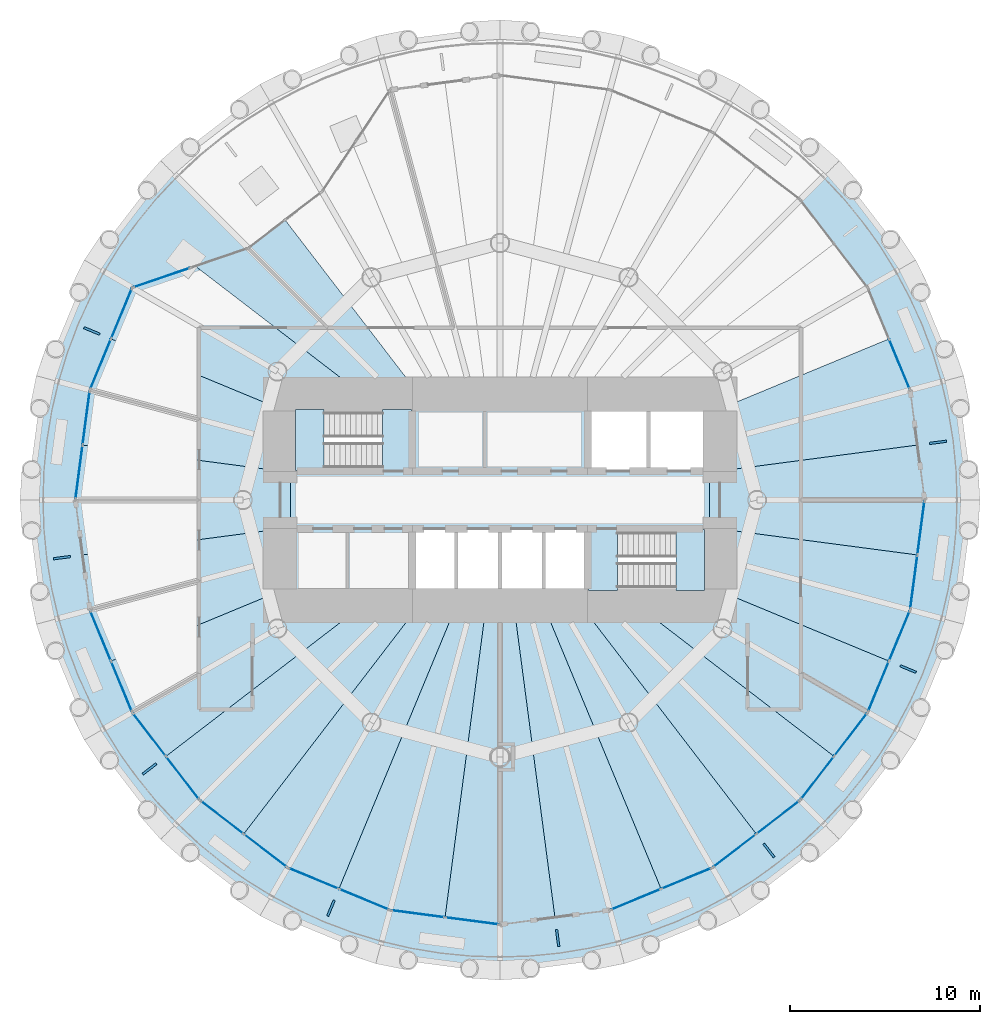
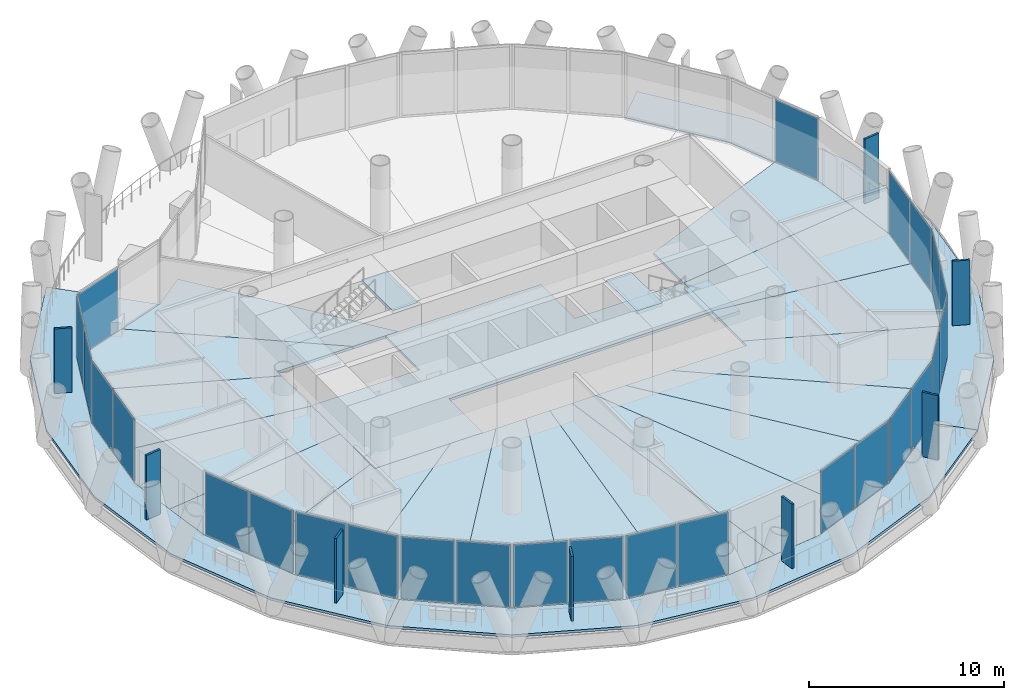
# One storey, part 7 of 14: 34 plates, 25 slabs, 16 elements without a shape of their own.
"""IFC4 building model written with IfcOpenShell, lengths in metres."""

from ifc_helpers import new_model, si_unit, direction, frame, origin, origin_2d, place, context, subcontext, project, spatial, polyline, rectangle, outline, extrude, material, layer, layer_set, type_object, element, aggregate, save


model = new_model("IFC4")

# Units and contexts
model_context = context("Model", 3, precision=1e-05, world=origin(), true_north=direction((0.0, 1.0)))
body_context = subcontext(model_context, "Body", "Model", "MODEL_VIEW")
ifc_project = project(units=[si_unit("LENGTHUNIT", "METRE"), si_unit("AREAUNIT", "SQUARE_METRE"), si_unit("VOLUMEUNIT", "CUBIC_METRE"), si_unit("PLANEANGLEUNIT", "RADIAN"), si_unit("MASSUNIT", "GRAM", prefix="KILO")], contexts=[model_context])

# Site, building, storey
site_placement = place(None, origin())
site = spatial("IfcSite", under=ifc_project, at=site_placement, CompositionType="ELEMENT")
building_placement = place(site_placement, origin())
building = spatial("IfcBuilding", under=site, at=building_placement, Name="Qaws Media Tower", CompositionType="ELEMENT")
storey_placement = place(building_placement, frame((0.0, 0.0, 160.39990234375)))
storey = spatial("IfcBuildingStorey", under=building, at=storey_placement, Name="L36", CompositionType="ELEMENT", Elevation=160.39990234375)

# Slabs
ifc_material_1 = material(Name="Concrete C35/45", Category="concrete")
ifc_layer_1 = layer(ifc_material_1, 0.159912109375)
ifc_layer_set_1 = layer_set([ifc_layer_1], Name="Composite balcony slab 160")
slab_type_1 = type_object("IfcSlabType", Name="Composite balcony slab 160", PredefinedType="FLOOR", material=ifc_layer_set_1)
slab_1_placement = place(storey_placement, frame((0.0, 0.0, -0.159912109375)))
element("IfcSlab", 1, at=slab_1_placement, inside=storey, type_object=slab_type_1, Name="S2 balcony slab L36 R10 to R16, movement joints on R10 and R16", PredefinedType="FLOOR", context=body_context, shape_type="SweptSolid", body=[
    extrude(outline(polyline([(38.609130859375, 37.64990234375), (36.1416015625, 43.607177734375), (35.300048828125, 50.0), (36.1416015625, 56.392822265625), (38.609130859375, 62.35009765625), (42.534423828125, 67.465576171875), (46.777099609375, 63.222900390625), (40.6875, 61.14990234375), (38.4599609375, 55.771728515625), (37.699951171875, 50.0), (38.4599609375, 44.228271484375), (40.6875, 38.85009765625), (44.2314453125, 34.2314453125), (42.534423828125, 32.534423828125), (38.609130859375, 37.64990234375)])), origin(), (0.0, 0.0, 1.0), 0.159912109375),
])
slab_2_placement = place(storey_placement, frame((0.0, 0.0, -0.159912109375)))
element("IfcSlab", 2, at=slab_2_placement, inside=storey, type_object=slab_type_1, Name="S2 balcony slab L36 R16 to R22, movement joints on R16 and R22", PredefinedType="FLOOR", context=body_context, shape_type="SweptSolid", body=[
    extrude(outline(polyline([(72.35009765625, 28.609130859375), (66.392822265625, 26.1416015625), (60.0, 25.300048828125), (53.607177734375, 26.1416015625), (47.64990234375, 28.609130859375), (42.534423828125, 32.534423828125), (44.2314453125, 34.2314453125), (48.85009765625, 30.6875), (54.228271484375, 28.4599609375), (60.0, 27.699951171875), (65.771728515625, 28.4599609375), (71.14990234375, 30.6875), (75.7685546875, 34.2314453125), (77.465576171875, 32.534423828125), (72.35009765625, 28.609130859375)])), origin(), (0.0, 0.0, 1.0), 0.159912109375),
])
slab_3_placement = place(storey_placement, frame((0.0, 0.0, -0.159912109375)))
element("IfcSlab", 3, at=slab_3_placement, inside=storey, type_object=slab_type_1, Name="S2 balcony slab L36 R22 to R04, movement joints on R22 and R04", PredefinedType="FLOOR", context=body_context, shape_type="SweptSolid", body=[
    extrude(outline(polyline([(81.390869140625, 37.64990234375), (77.465576171875, 32.534423828125), (75.7685546875, 34.2314453125), (79.3125, 38.85009765625), (81.5400390625, 44.228271484375), (82.300048828125, 50.0), (81.5400390625, 55.771728515625), (79.3125, 61.14990234375), (75.7685546875, 65.7685546875), (77.465576171875, 67.465576171875), (81.390869140625, 62.35009765625), (83.8583984375, 56.392822265625), (84.699951171875, 50.0), (83.8583984375, 43.607177734375), (81.390869140625, 37.64990234375)])), origin(), (0.0, 0.0, 1.0), 0.159912109375),
])
ifc_material_2 = material(Name="Concrete C35/45", Category="concrete")
ifc_layer_2 = layer(ifc_material_2, 0.159912109375)
ifc_layer_set_2 = layer_set([ifc_layer_2], Name="Composite floor slab 160")
slab_type_2 = type_object("IfcSlabType", Name="Composite floor slab 160", PredefinedType="FLOOR", material=ifc_layer_set_2)
slab_4_placement = place(storey_placement, frame((0.0, 0.0, -0.159912109375)))
element("IfcSlab", 4, at=slab_4_placement, inside=storey, type_object=slab_type_2, Name="S1 core floor slab L36", PredefinedType="FLOOR", context=body_context, shape_type="SweptSolid", body=[
    extrude(outline(polyline([(71.0, 51.5), (71.0, 48.5), (55.39990234375, 48.5), (55.39990234375, 45.0), (49.0, 45.0), (49.0, 51.5), (55.39990234375, 51.5), (55.39990234375, 55.0), (64.60009765625, 55.0), (64.60009765625, 51.5), (71.0, 51.5)])), origin(), (0.0, 0.0, 1.0), 0.159912109375),
])
slab_5_placement = place(storey_placement, frame((0.0, 0.0, -0.159912109375)))
element("IfcSlab", 5, at=slab_5_placement, inside=storey, type_object=slab_type_2, Name="S1 floor panel L36 on R01", PredefinedType="FLOOR", context=body_context, shape_type="SweptSolid", body=[
    extrude(outline(polyline([(82.300048828125, 50.0), (81.920166015625, 47.1142578125), (71.0, 48.5517578125), (71.0, 51.4482421875), (81.920166015625, 52.8857421875), (82.300048828125, 50.0)])), origin(), (0.0, 0.0, 1.0), 0.159912109375),
])
slab_6_placement = place(storey_placement, frame((0.0, 0.0, -0.159912109375)))
element("IfcSlab", 6, at=slab_6_placement, inside=storey, type_object=slab_type_2, Name="S1 floor panel L36 on R02", PredefinedType="FLOOR", context=body_context, shape_type="SweptSolid", body=[
    extrude(outline(polyline([(81.5400390625, 55.771728515625), (81.920166015625, 52.8857421875), (71.0, 51.4482421875), (71.0, 54.556396484375), (80.42626953125, 58.460693359375), (81.5400390625, 55.771728515625)])), origin(), (0.0, 0.0, 1.0), 0.159912109375),
])
slab_7_placement = place(storey_placement, frame((0.0, 0.0, -0.159912109375)))
element("IfcSlab", 7, at=slab_7_placement, inside=storey, type_object=slab_type_2, Name="S1 floor panel L36 on R10", PredefinedType="FLOOR", context=body_context, shape_type="SweptSolid", body=[
    extrude(outline(polyline([(46.777099609375, 63.222900390625), (48.713623046875, 64.708740234375), (56.163330078125, 55.0), (53.48388671875, 55.0), (43.999755859375, 62.277587890625), (46.777099609375, 63.222900390625)])), origin(), (0.0, 0.0, 1.0), 0.159912109375),
])
slab_8_placement = place(storey_placement, frame((0.0, 0.0, -0.159912109375)))
element("IfcSlab", 8, at=slab_8_placement, inside=storey, type_object=slab_type_2, Name="S1 floor panel L36 on R11", PredefinedType="FLOOR", context=body_context, shape_type="SweptSolid", body=[
    extrude(outline(polyline([(40.6875, 61.14990234375), (43.999755859375, 62.277587890625), (53.48388671875, 55.0), (49.0, 55.0), (49.0, 54.556396484375), (39.57373046875, 58.460693359375), (40.6875, 61.14990234375)])), origin(), (0.0, 0.0, 1.0), 0.159912109375),
])
slab_9_placement = place(storey_placement, frame((0.0, 0.0, -0.159912109375)))
element("IfcSlab", 9, at=slab_9_placement, inside=storey, type_object=slab_type_2, Name="S1 floor panel L36 on R12", PredefinedType="FLOOR", context=body_context, shape_type="SweptSolid", body=[
    extrude(outline(polyline([(38.4599609375, 55.771728515625), (39.57373046875, 58.460693359375), (49.0, 54.556396484375), (49.0, 51.4482421875), (38.079833984375, 52.8857421875), (38.4599609375, 55.771728515625)])), origin(), (0.0, 0.0, 1.0), 0.159912109375),
])
slab_10_placement = place(storey_placement, frame((0.0, 0.0, -0.159912109375)))
element("IfcSlab", 10, at=slab_10_placement, inside=storey, type_object=slab_type_2, Name="S1 floor panel L36 on R13", PredefinedType="FLOOR", context=body_context, shape_type="SweptSolid", body=[
    extrude(outline(polyline([(37.699951171875, 50.0), (38.079833984375, 52.8857421875), (49.0, 51.4482421875), (49.0, 48.5517578125), (38.079833984375, 47.1142578125), (37.699951171875, 50.0)])), origin(), (0.0, 0.0, 1.0), 0.159912109375),
])
slab_11_placement = place(storey_placement, frame((0.0, 0.0, -0.159912109375)))
element("IfcSlab", 11, at=slab_11_placement, inside=storey, type_object=slab_type_2, Name="S1 floor panel L36 on R14", PredefinedType="FLOOR", context=body_context, shape_type="SweptSolid", body=[
    extrude(outline(polyline([(38.4599609375, 44.228271484375), (38.079833984375, 47.1142578125), (49.0, 48.5517578125), (49.0, 45.443603515625), (39.57373046875, 41.539306640625), (38.4599609375, 44.228271484375)])), origin(), (0.0, 0.0, 1.0), 0.159912109375),
])
slab_12_placement = place(storey_placement, frame((0.0, 0.0, -0.159912109375)))
element("IfcSlab", 12, at=slab_12_placement, inside=storey, type_object=slab_type_2, Name="S1 floor panel L36 on R15", PredefinedType="FLOOR", context=body_context, shape_type="SweptSolid", body=[
    extrude(outline(polyline([(40.6875, 38.85009765625), (39.57373046875, 41.539306640625), (49.0, 45.443603515625), (49.0, 45.0), (53.48388671875, 45.0), (42.459716796875, 36.540771484375), (40.6875, 38.85009765625)])), origin(), (0.0, 0.0, 1.0), 0.159912109375),
])
slab_13_placement = place(storey_placement, frame((0.0, 0.0, -0.159912109375)))
element("IfcSlab", 13, at=slab_13_placement, inside=storey, type_object=slab_type_2, Name="S1 floor panel L36 on R16", PredefinedType="FLOOR", context=body_context, shape_type="SweptSolid", body=[
    extrude(outline(polyline([(44.2314453125, 34.2314453125), (42.459716796875, 36.540771484375), (53.48388671875, 45.0), (56.163330078125, 45.0), (46.540771484375, 32.459716796875), (44.2314453125, 34.2314453125)])), origin(), (0.0, 0.0, 1.0), 0.159912109375),
])
slab_14_placement = place(storey_placement, frame((0.0, 0.0, -0.159912109375)))
element("IfcSlab", 14, at=slab_14_placement, inside=storey, type_object=slab_type_2, Name="S1 floor panel L36 on R17", PredefinedType="FLOOR", context=body_context, shape_type="SweptSolid", body=[
    extrude(outline(polyline([(48.85009765625, 30.6875), (46.540771484375, 32.459716796875), (56.163330078125, 45.0), (57.928955078125, 45.0), (51.539306640625, 29.57373046875), (48.85009765625, 30.6875)])), origin(), (0.0, 0.0, 1.0), 0.159912109375),
])
slab_15_placement = place(storey_placement, frame((0.0, 0.0, -0.159912109375)))
element("IfcSlab", 15, at=slab_15_placement, inside=storey, type_object=slab_type_2, Name="S1 floor panel L36 on R18", PredefinedType="FLOOR", context=body_context, shape_type="SweptSolid", body=[
    extrude(outline(polyline([(54.228271484375, 28.4599609375), (51.539306640625, 29.57373046875), (57.928955078125, 45.0), (59.341796875, 45.0), (57.1142578125, 28.079833984375), (54.228271484375, 28.4599609375)])), origin(), (0.0, 0.0, 1.0), 0.159912109375),
])
slab_16_placement = place(storey_placement, frame((0.0, 0.0, -0.159912109375)))
element("IfcSlab", 16, at=slab_16_placement, inside=storey, type_object=slab_type_2, Name="S1 floor panel L36 on R19", PredefinedType="FLOOR", context=body_context, shape_type="SweptSolid", body=[
    extrude(outline(polyline([(60.0, 27.699951171875), (57.1142578125, 28.079833984375), (59.341796875, 45.0), (60.658203125, 45.0), (62.8857421875, 28.079833984375), (60.0, 27.699951171875)])), origin(), (0.0, 0.0, 1.0), 0.159912109375),
])
slab_17_placement = place(storey_placement, frame((0.0, 0.0, -0.159912109375)))
element("IfcSlab", 17, at=slab_17_placement, inside=storey, type_object=slab_type_2, Name="S1 floor panel L36 on R20", PredefinedType="FLOOR", context=body_context, shape_type="SweptSolid", body=[
    extrude(outline(polyline([(65.771728515625, 28.4599609375), (62.8857421875, 28.079833984375), (60.658203125, 45.0), (62.071044921875, 45.0), (68.460693359375, 29.57373046875), (65.771728515625, 28.4599609375)])), origin(), (0.0, 0.0, 1.0), 0.159912109375),
])
slab_18_placement = place(storey_placement, frame((0.0, 0.0, -0.159912109375)))
element("IfcSlab", 18, at=slab_18_placement, inside=storey, type_object=slab_type_2, Name="S1 floor panel L36 on R21", PredefinedType="FLOOR", context=body_context, shape_type="SweptSolid", body=[
    extrude(outline(polyline([(71.14990234375, 30.6875), (68.460693359375, 29.57373046875), (62.071044921875, 45.0), (63.836669921875, 45.0), (73.459228515625, 32.459716796875), (71.14990234375, 30.6875)])), origin(), (0.0, 0.0, 1.0), 0.159912109375),
])
slab_19_placement = place(storey_placement, frame((0.0, 0.0, -0.159912109375)))
element("IfcSlab", 19, at=slab_19_placement, inside=storey, type_object=slab_type_2, Name="S1 floor panel L36 on R22", PredefinedType="FLOOR", context=body_context, shape_type="SweptSolid", body=[
    extrude(outline(polyline([(75.7685546875, 34.2314453125), (73.459228515625, 32.459716796875), (63.836669921875, 45.0), (66.51611328125, 45.0), (77.540283203125, 36.540771484375), (75.7685546875, 34.2314453125)])), origin(), (0.0, 0.0, 1.0), 0.159912109375),
])
slab_20_placement = place(storey_placement, frame((0.0, 0.0, -0.159912109375)))
element("IfcSlab", 20, at=slab_20_placement, inside=storey, type_object=slab_type_2, Name="S1 floor panel L36 on R23", PredefinedType="FLOOR", context=body_context, shape_type="SweptSolid", body=[
    extrude(outline(polyline([(79.3125, 38.85009765625), (77.540283203125, 36.540771484375), (66.51611328125, 45.0), (71.0, 45.0), (71.0, 45.443603515625), (80.42626953125, 41.539306640625), (79.3125, 38.85009765625)])), origin(), (0.0, 0.0, 1.0), 0.159912109375),
])
slab_21_placement = place(storey_placement, frame((0.0, 0.0, -0.159912109375)))
element("IfcSlab", 21, at=slab_21_placement, inside=storey, type_object=slab_type_2, Name="S1 floor panel L36 on R24", PredefinedType="FLOOR", context=body_context, shape_type="SweptSolid", body=[
    extrude(outline(polyline([(80.42626953125, 41.539306640625), (71.0, 45.443603515625), (71.0, 48.5517578125), (81.920166015625, 47.1142578125), (81.5400390625, 44.228271484375), (80.42626953125, 41.539306640625)])), origin(), (0.0, 0.0, 1.0), 0.159912109375),
])

# Curtain wall, plate
ifc_material_3 = material(Name="Aluminium and clear glass", Category="aluminium")
curtain_wall_type_1 = type_object("IfcCurtainWallType", Name="Unitised curtain wall CW-B", PredefinedType="NOTDEFINED", material=ifc_material_3)
curtain_wall_1_placement = place(storey_placement, origin())
curtain_wall_1 = element("IfcCurtainWall", 22, at=curtain_wall_1_placement, inside=storey, type_object=curtain_wall_type_1, Name="CWB curtain wall L36-02", PredefinedType="NOTDEFINED")
ifc_material_4 = material(Name="Clear laminated double glazing", Category="glass")
ifc_layer_3 = layer(ifc_material_4, 0.031982421875)
ifc_layer_set_3 = layer_set([ifc_layer_3], Name="Curtain wall glass unit 32")
plate_type_1 = type_object("IfcPlateType", Name="Curtain wall glass unit 32", PredefinedType="CURTAIN_PANEL", material=ifc_layer_set_3)
plate_1_placement = place(storey_placement, frame((80.9755859375, 57.134765625, 0.080078125), z_axis=(0.0, 0.0, 1.0), x_axis=(-0.382683388377, 0.923879550732, 0.0)))
plate_1 = element("IfcPlate", 23, at=plate_1_placement, type_object=plate_type_1, Name="CWB panel 1.1", PredefinedType="CURTAIN_PANEL", context=body_context, shape_type="SweptSolid", body=[
    extrude(rectangle(XDim=2.790771484375, YDim=0.031982421875, at=origin_2d()), origin(), (0.0, 0.0, 1.0), 3.8798828125),
])
aggregate(curtain_wall_1, [plate_1])

ifc_material_5 = material(Name="Aluminium and clear glass", Category="aluminium")
curtain_wall_type_2 = type_object("IfcCurtainWallType", Name="Loggia curtain wall CW-G", PredefinedType="NOTDEFINED", material=ifc_material_5)
curtain_wall_2_placement = place(storey_placement, origin())
curtain_wall_2 = element("IfcCurtainWall", 24, at=curtain_wall_2_placement, inside=storey, type_object=curtain_wall_type_2, Name="CWG curtain wall L36-10", PredefinedType="NOTDEFINED")
plate_2_placement = place(storey_placement, frame((42.22900390625, 61.674560546875, 0.080078125), z_axis=(0.0, 0.0, 1.0), x_axis=(-0.946655315469, -0.322247907199, 0.0)))
plate_2 = element("IfcPlate", 25, at=plate_2_placement, type_object=plate_type_1, Name="CWG panel 2.1", PredefinedType="CURTAIN_PANEL", context=body_context, shape_type="SweptSolid", body=[
    extrude(rectangle(XDim=3.09619140625, YDim=0.031982421875, at=origin_2d()), origin(), (0.0, 0.0, 1.0), 3.8798828125),
])
aggregate(curtain_wall_2, [plate_2])

# Curtain wall, plates
curtain_wall_3_placement = place(storey_placement, origin())
curtain_wall_3 = element("IfcCurtainWall", 26, at=curtain_wall_3_placement, inside=storey, type_object=curtain_wall_type_1, Name="CWB curtain wall L36-11", PredefinedType="NOTDEFINED")
plate_3_placement = place(storey_placement, frame((40.123046875, 59.786865234375, 0.080078125), z_axis=(0.0, 0.0, 1.0), x_axis=(-0.382683388377, -0.923879550732, 0.0)))
plate_3 = element("IfcPlate", 27, at=plate_3_placement, type_object=plate_type_1, Name="CWB panel 1.1", PredefinedType="CURTAIN_PANEL", context=body_context, shape_type="SweptSolid", body=[
    extrude(rectangle(XDim=2.790771484375, YDim=0.031982421875, at=origin_2d()), origin(), (0.0, 0.0, 1.0), 3.8798828125),
])
plate_4_placement = place(storey_placement, frame((39.0244140625, 57.134765625, 0.080078125), z_axis=(0.0, 0.0, 1.0), x_axis=(-0.382683388377, -0.923879550732, 0.0)))
plate_4 = element("IfcPlate", 28, at=plate_4_placement, type_object=plate_type_1, Name="CWB panel 2.1", PredefinedType="CURTAIN_PANEL", context=body_context, shape_type="SweptSolid", body=[
    extrude(rectangle(XDim=2.790771484375, YDim=0.031982421875, at=origin_2d()), origin(), (0.0, 0.0, 1.0), 3.8798828125),
])
aggregate(curtain_wall_3, [plate_3, plate_4])

curtain_wall_4_placement = place(storey_placement, origin())
curtain_wall_4 = element("IfcCurtainWall", 29, at=curtain_wall_4_placement, inside=storey, type_object=curtain_wall_type_1, Name="CWB curtain wall L36-12", PredefinedType="NOTDEFINED")
plate_5_placement = place(storey_placement, frame((38.267333984375, 54.308837890625, 0.080078125), z_axis=(0.0, 0.0, 1.0), x_axis=(-0.13052617322, -0.991444863875, 0.0)))
plate_5 = element("IfcPlate", 30, at=plate_5_placement, type_object=plate_type_1, Name="CWB panel 1.1", PredefinedType="CURTAIN_PANEL", context=body_context, shape_type="SweptSolid", body=[
    extrude(rectangle(XDim=2.790771484375, YDim=0.031982421875, at=origin_2d()), origin(), (0.0, 0.0, 1.0), 3.8798828125),
])
plate_6_placement = place(storey_placement, frame((37.892578125, 51.462646484375, 0.080078125), z_axis=(0.0, 0.0, 1.0), x_axis=(-0.13052617322, -0.991444863875, 0.0)))
plate_6 = element("IfcPlate", 31, at=plate_6_placement, type_object=plate_type_1, Name="CWB panel 2.1", PredefinedType="CURTAIN_PANEL", context=body_context, shape_type="SweptSolid", body=[
    extrude(rectangle(XDim=2.790771484375, YDim=0.031982421875, at=origin_2d()), origin(), (0.0, 0.0, 1.0), 3.8798828125),
])
aggregate(curtain_wall_4, [plate_5, plate_6])

curtain_wall_5_placement = place(storey_placement, origin())
curtain_wall_5 = element("IfcCurtainWall", 32, at=curtain_wall_5_placement, inside=storey, type_object=curtain_wall_type_1, Name="CWB curtain wall L36-14", PredefinedType="NOTDEFINED")
plate_7_placement = place(storey_placement, frame((39.0244140625, 42.865234375, 0.080078125), z_axis=(0.0, 0.0, 1.0), x_axis=(0.382683388377, -0.923879550732, 0.0)))
plate_7 = element("IfcPlate", 33, at=plate_7_placement, type_object=plate_type_1, Name="CWB panel 1.1", PredefinedType="CURTAIN_PANEL", context=body_context, shape_type="SweptSolid", body=[
    extrude(rectangle(XDim=2.790771484375, YDim=0.031982421875, at=origin_2d()), origin(), (0.0, 0.0, 1.0), 3.8798828125),
])
plate_8_placement = place(storey_placement, frame((40.123046875, 40.213134765625, 0.080078125), z_axis=(0.0, 0.0, 1.0), x_axis=(0.382683388377, -0.923879550732, 0.0)))
plate_8 = element("IfcPlate", 34, at=plate_8_placement, type_object=plate_type_1, Name="CWB panel 2.1", PredefinedType="CURTAIN_PANEL", context=body_context, shape_type="SweptSolid", body=[
    extrude(rectangle(XDim=2.790771484375, YDim=0.031982421875, at=origin_2d()), origin(), (0.0, 0.0, 1.0), 3.8798828125),
])
aggregate(curtain_wall_5, [plate_7, plate_8])

curtain_wall_6_placement = place(storey_placement, origin())
curtain_wall_6 = element("IfcCurtainWall", 35, at=curtain_wall_6_placement, inside=storey, type_object=curtain_wall_type_1, Name="CWB curtain wall L36-15", PredefinedType="NOTDEFINED")
plate_9_placement = place(storey_placement, frame((41.585693359375, 37.679443359375, 0.080078125), z_axis=(0.0, 0.0, 1.0), x_axis=(0.608761524717, -0.793353266852, 0.0)))
plate_9 = element("IfcPlate", 36, at=plate_9_placement, type_object=plate_type_1, Name="CWB panel 1.1", PredefinedType="CURTAIN_PANEL", context=body_context, shape_type="SweptSolid", body=[
    extrude(rectangle(XDim=2.790771484375, YDim=0.031982421875, at=origin_2d()), origin(), (0.0, 0.0, 1.0), 3.8798828125),
])
plate_10_placement = place(storey_placement, frame((43.333251953125, 35.402099609375, 0.080078125), z_axis=(0.0, 0.0, 1.0), x_axis=(0.608761524717, -0.793353266852, 0.0)))
plate_10 = element("IfcPlate", 37, at=plate_10_placement, type_object=plate_type_1, Name="CWB panel 2.1", PredefinedType="CURTAIN_PANEL", context=body_context, shape_type="SweptSolid", body=[
    extrude(rectangle(XDim=2.790771484375, YDim=0.031982421875, at=origin_2d()), origin(), (0.0, 0.0, 1.0), 3.8798828125),
])
aggregate(curtain_wall_6, [plate_9, plate_10])

curtain_wall_7_placement = place(storey_placement, origin())
curtain_wall_7 = element("IfcCurtainWall", 38, at=curtain_wall_7_placement, inside=storey, type_object=curtain_wall_type_1, Name="CWB curtain wall L36-16", PredefinedType="NOTDEFINED")
plate_11_placement = place(storey_placement, frame((45.402099609375, 33.333251953125, 0.080078125), z_axis=(0.0, 0.0, 1.0), x_axis=(0.793353266852, -0.608761524717, 0.0)))
plate_11 = element("IfcPlate", 39, at=plate_11_placement, type_object=plate_type_1, Name="CWB panel 1.1", PredefinedType="CURTAIN_PANEL", context=body_context, shape_type="SweptSolid", body=[
    extrude(rectangle(XDim=2.790771484375, YDim=0.031982421875, at=origin_2d()), origin(), (0.0, 0.0, 1.0), 3.8798828125),
])
plate_12_placement = place(storey_placement, frame((47.679443359375, 31.585693359375, 0.080078125), z_axis=(0.0, 0.0, 1.0), x_axis=(0.793353266852, -0.608761524717, 0.0)))
plate_12 = element("IfcPlate", 40, at=plate_12_placement, type_object=plate_type_1, Name="CWB panel 2.1", PredefinedType="CURTAIN_PANEL", context=body_context, shape_type="SweptSolid", body=[
    extrude(rectangle(XDim=2.790771484375, YDim=0.031982421875, at=origin_2d()), origin(), (0.0, 0.0, 1.0), 3.8798828125),
])
aggregate(curtain_wall_7, [plate_11, plate_12])

curtain_wall_8_placement = place(storey_placement, origin())
curtain_wall_8 = element("IfcCurtainWall", 41, at=curtain_wall_8_placement, inside=storey, type_object=curtain_wall_type_1, Name="CWB curtain wall L36-17", PredefinedType="NOTDEFINED")
plate_13_placement = place(storey_placement, frame((50.213134765625, 30.123046875, 0.080078125), z_axis=(0.0, 0.0, 1.0), x_axis=(0.923879550732, -0.382683388377, 0.0)))
plate_13 = element("IfcPlate", 42, at=plate_13_placement, type_object=plate_type_1, Name="CWB panel 1.1", PredefinedType="CURTAIN_PANEL", context=body_context, shape_type="SweptSolid", body=[
    extrude(rectangle(XDim=2.790771484375, YDim=0.031982421875, at=origin_2d()), origin(), (0.0, 0.0, 1.0), 3.8798828125),
])
plate_14_placement = place(storey_placement, frame((52.865234375, 29.0244140625, 0.080078125), z_axis=(0.0, 0.0, 1.0), x_axis=(0.923879550732, -0.382683388377, 0.0)))
plate_14 = element("IfcPlate", 43, at=plate_14_placement, type_object=plate_type_1, Name="CWB panel 2.1", PredefinedType="CURTAIN_PANEL", context=body_context, shape_type="SweptSolid", body=[
    extrude(rectangle(XDim=2.790771484375, YDim=0.031982421875, at=origin_2d()), origin(), (0.0, 0.0, 1.0), 3.8798828125),
])
aggregate(curtain_wall_8, [plate_13, plate_14])

curtain_wall_9_placement = place(storey_placement, origin())
curtain_wall_9 = element("IfcCurtainWall", 44, at=curtain_wall_9_placement, inside=storey, type_object=curtain_wall_type_1, Name="CWB curtain wall L36-18", PredefinedType="NOTDEFINED")
plate_15_placement = place(storey_placement, frame((55.691162109375, 28.267333984375, 0.080078125), z_axis=(0.0, 0.0, 1.0), x_axis=(0.991444863875, -0.13052617322, 0.0)))
plate_15 = element("IfcPlate", 45, at=plate_15_placement, type_object=plate_type_1, Name="CWB panel 1.1", PredefinedType="CURTAIN_PANEL", context=body_context, shape_type="SweptSolid", body=[
    extrude(rectangle(XDim=2.790771484375, YDim=0.031982421875, at=origin_2d()), origin(), (0.0, 0.0, 1.0), 3.8798828125),
])
plate_16_placement = place(storey_placement, frame((58.537353515625, 27.892578125, 0.080078125), z_axis=(0.0, 0.0, 1.0), x_axis=(0.991444863875, -0.13052617322, 0.0)))
plate_16 = element("IfcPlate", 46, at=plate_16_placement, type_object=plate_type_1, Name="CWB panel 2.1", PredefinedType="CURTAIN_PANEL", context=body_context, shape_type="SweptSolid", body=[
    extrude(rectangle(XDim=2.790771484375, YDim=0.031982421875, at=origin_2d()), origin(), (0.0, 0.0, 1.0), 3.8798828125),
])
aggregate(curtain_wall_9, [plate_15, plate_16])

curtain_wall_10_placement = place(storey_placement, origin())
curtain_wall_10 = element("IfcCurtainWall", 47, at=curtain_wall_10_placement, inside=storey, type_object=curtain_wall_type_1, Name="CWB curtain wall L36-20", PredefinedType="NOTDEFINED")
plate_17_placement = place(storey_placement, frame((67.134765625, 29.0244140625, 0.080078125), z_axis=(0.0, 0.0, 1.0), x_axis=(0.923879550732, 0.382683388377, 0.0)))
plate_17 = element("IfcPlate", 48, at=plate_17_placement, type_object=plate_type_1, Name="CWB panel 1.1", PredefinedType="CURTAIN_PANEL", context=body_context, shape_type="SweptSolid", body=[
    extrude(rectangle(XDim=2.790771484375, YDim=0.031982421875, at=origin_2d()), origin(), (0.0, 0.0, 1.0), 3.8798828125),
])
plate_18_placement = place(storey_placement, frame((69.786865234375, 30.123046875, 0.080078125), z_axis=(0.0, 0.0, 1.0), x_axis=(0.923879550732, 0.382683388377, 0.0)))
plate_18 = element("IfcPlate", 49, at=plate_18_placement, type_object=plate_type_1, Name="CWB panel 2.1", PredefinedType="CURTAIN_PANEL", context=body_context, shape_type="SweptSolid", body=[
    extrude(rectangle(XDim=2.790771484375, YDim=0.031982421875, at=origin_2d()), origin(), (0.0, 0.0, 1.0), 3.8798828125),
])
aggregate(curtain_wall_10, [plate_17, plate_18])

curtain_wall_11_placement = place(storey_placement, origin())
curtain_wall_11 = element("IfcCurtainWall", 50, at=curtain_wall_11_placement, inside=storey, type_object=curtain_wall_type_1, Name="CWB curtain wall L36-21", PredefinedType="NOTDEFINED")
plate_19_placement = place(storey_placement, frame((72.320556640625, 31.585693359375, 0.080078125), z_axis=(0.0, 0.0, 1.0), x_axis=(0.793353266852, 0.608761524717, 0.0)))
plate_19 = element("IfcPlate", 51, at=plate_19_placement, type_object=plate_type_1, Name="CWB panel 1.1", PredefinedType="CURTAIN_PANEL", context=body_context, shape_type="SweptSolid", body=[
    extrude(rectangle(XDim=2.790771484375, YDim=0.031982421875, at=origin_2d()), origin(), (0.0, 0.0, 1.0), 3.8798828125),
])
plate_20_placement = place(storey_placement, frame((74.597900390625, 33.333251953125, 0.080078125), z_axis=(0.0, 0.0, 1.0), x_axis=(0.793353266852, 0.608761524717, 0.0)))
plate_20 = element("IfcPlate", 52, at=plate_20_placement, type_object=plate_type_1, Name="CWB panel 2.1", PredefinedType="CURTAIN_PANEL", context=body_context, shape_type="SweptSolid", body=[
    extrude(rectangle(XDim=2.790771484375, YDim=0.031982421875, at=origin_2d()), origin(), (0.0, 0.0, 1.0), 3.8798828125),
])
aggregate(curtain_wall_11, [plate_19, plate_20])

curtain_wall_12_placement = place(storey_placement, origin())
curtain_wall_12 = element("IfcCurtainWall", 53, at=curtain_wall_12_placement, inside=storey, type_object=curtain_wall_type_1, Name="CWB curtain wall L36-22", PredefinedType="NOTDEFINED")
plate_21_placement = place(storey_placement, frame((76.666748046875, 35.402099609375, 0.080078125), z_axis=(0.0, 0.0, 1.0), x_axis=(0.608761524717, 0.793353266852, 0.0)))
plate_21 = element("IfcPlate", 54, at=plate_21_placement, type_object=plate_type_1, Name="CWB panel 1.1", PredefinedType="CURTAIN_PANEL", context=body_context, shape_type="SweptSolid", body=[
    extrude(rectangle(XDim=2.790771484375, YDim=0.031982421875, at=origin_2d()), origin(), (0.0, 0.0, 1.0), 3.8798828125),
])
plate_22_placement = place(storey_placement, frame((78.414306640625, 37.679443359375, 0.080078125), z_axis=(0.0, 0.0, 1.0), x_axis=(0.608761524717, 0.793353266852, 0.0)))
plate_22 = element("IfcPlate", 55, at=plate_22_placement, type_object=plate_type_1, Name="CWB panel 2.1", PredefinedType="CURTAIN_PANEL", context=body_context, shape_type="SweptSolid", body=[
    extrude(rectangle(XDim=2.790771484375, YDim=0.031982421875, at=origin_2d()), origin(), (0.0, 0.0, 1.0), 3.8798828125),
])
aggregate(curtain_wall_12, [plate_21, plate_22])

curtain_wall_13_placement = place(storey_placement, origin())
curtain_wall_13 = element("IfcCurtainWall", 56, at=curtain_wall_13_placement, inside=storey, type_object=curtain_wall_type_1, Name="CWB curtain wall L36-23", PredefinedType="NOTDEFINED")
plate_23_placement = place(storey_placement, frame((79.876953125, 40.213134765625, 0.080078125), z_axis=(0.0, 0.0, 1.0), x_axis=(0.382683388377, 0.923879550732, 0.0)))
plate_23 = element("IfcPlate", 57, at=plate_23_placement, type_object=plate_type_1, Name="CWB panel 1.1", PredefinedType="CURTAIN_PANEL", context=body_context, shape_type="SweptSolid", body=[
    extrude(rectangle(XDim=2.790771484375, YDim=0.031982421875, at=origin_2d()), origin(), (0.0, 0.0, 1.0), 3.8798828125),
])
plate_24_placement = place(storey_placement, frame((80.9755859375, 42.865234375, 0.080078125), z_axis=(0.0, 0.0, 1.0), x_axis=(0.382683388377, 0.923879550732, 0.0)))
plate_24 = element("IfcPlate", 58, at=plate_24_placement, type_object=plate_type_1, Name="CWB panel 2.1", PredefinedType="CURTAIN_PANEL", context=body_context, shape_type="SweptSolid", body=[
    extrude(rectangle(XDim=2.790771484375, YDim=0.031982421875, at=origin_2d()), origin(), (0.0, 0.0, 1.0), 3.8798828125),
])
aggregate(curtain_wall_13, [plate_23, plate_24])

curtain_wall_14_placement = place(storey_placement, origin())
curtain_wall_14 = element("IfcCurtainWall", 59, at=curtain_wall_14_placement, inside=storey, type_object=curtain_wall_type_1, Name="CWB curtain wall L36-24", PredefinedType="NOTDEFINED")
plate_25_placement = place(storey_placement, frame((81.732666015625, 45.691162109375, 0.080078125), z_axis=(0.0, 0.0, 1.0), x_axis=(0.13052617322, 0.991444863875, 0.0)))
plate_25 = element("IfcPlate", 60, at=plate_25_placement, type_object=plate_type_1, Name="CWB panel 1.1", PredefinedType="CURTAIN_PANEL", context=body_context, shape_type="SweptSolid", body=[
    extrude(rectangle(XDim=2.790771484375, YDim=0.031982421875, at=origin_2d()), origin(), (0.0, 0.0, 1.0), 3.8798828125),
])
plate_26_placement = place(storey_placement, frame((82.107421875, 48.537353515625, 0.080078125), z_axis=(0.0, 0.0, 1.0), x_axis=(0.13052617322, 0.991444863875, 0.0)))
plate_26 = element("IfcPlate", 61, at=plate_26_placement, type_object=plate_type_1, Name="CWB panel 2.1", PredefinedType="CURTAIN_PANEL", context=body_context, shape_type="SweptSolid", body=[
    extrude(rectangle(XDim=2.790771484375, YDim=0.031982421875, at=origin_2d()), origin(), (0.0, 0.0, 1.0), 3.8798828125),
])
aggregate(curtain_wall_14, [plate_25, plate_26])

# Plates
ifc_material_6 = material(Name="Precast concrete screen fin", Category="concrete")
ifc_layer_4 = layer(ifc_material_6, 0.1201171875)
ifc_layer_set_4 = layer_set([ifc_layer_4], Name="Screen fin 120x900")
plate_type_2 = type_object("IfcPlateType", Name="Screen fin 120x900", PredefinedType="USERDEFINED", material=ifc_layer_set_4)
for number, where, z_axis, x_axis, name in (
    (62, (83.00146484375, 53.0283203125, 0.0), (0.0, 0.0, 1.0), (0.991444861374, 0.13052619222, 0.0), "SCR1 screen fin L36-01"),
    (63, (38.56591796875, 58.878173828125, 0.0), (0.0, 0.0, 1.0), (-0.923879532511, 0.382683432365, 0.0), "SCR1 screen fin L36-06"),
    (64, (36.99853515625, 46.9716796875, 0.0), (0.0, 0.0, 1.0), (-0.991444861374, -0.13052619222, 0.0), "SCR1 screen fin L36-07"),
    (65, (41.59423828125, 35.876708984375, 0.0), (0.0, 0.0, 1.0), (-0.793353340291, -0.608761429009, 0.0), "SCR1 screen fin L36-08"),
    (66, (51.121826171875, 28.56591796875, 0.0), (0.0, 0.0, 1.0), (-0.382683432365, -0.923879532511, 0.0), "SCR1 screen fin L36-09"),
    (67, (63.0283203125, 26.99853515625, 0.0), (0.0, 0.0, 1.0), (0.13052619222, -0.991444861374, 0.0), "SCR1 screen fin L36-10"),
    (68, (74.123291015625, 31.59423828125, 0.0), (0.0, 0.0, 1.0), (0.608761429009, -0.793353340291, 0.0), "SCR1 screen fin L36-11"),
    (69, (81.43408203125, 41.121826171875, 0.0), (0.0, 0.0, 1.0), (0.923879532511, -0.382683432365, 0.0), "SCR1 screen fin L36-12"),
):
    element("IfcPlate", number, at=place(storey_placement, frame(where, z_axis=z_axis, x_axis=x_axis)), inside=storey, type_object=plate_type_2, Name=name, ObjectType="SCREEN", PredefinedType="USERDEFINED", context=body_context, shape_type="SweptSolid", body=[
        extrude(rectangle(XDim=0.89990234375, YDim=0.1201171875, at=origin_2d()), origin(), (0.0, 0.0, 1.0), 4.0400390625),
    ])

# Stair, slabs
ifc_material_7 = material(Name="Concrete C40/50", Category="concrete")
stair_type = type_object("IfcStairType", Name="Exit stair", PredefinedType="HALF_TURN_STAIR", material=ifc_material_7)
stair_1_placement = place(storey_placement, origin())
stair_1 = element("IfcStair", 70, at=stair_1_placement, inside=storey, type_object=stair_type, Name="S1 exit stair L36", PredefinedType="HALF_TURN_STAIR")
ifc_material_8 = material(Name="Concrete C40/50", Category="concrete")
ifc_layer_5 = layer(ifc_material_8, 0.199951171875)
ifc_layer_set_5 = layer_set([ifc_layer_5], Name="Stair landing 200")
slab_type_3 = type_object("IfcSlabType", Name="Stair landing 200", PredefinedType="LANDING", material=ifc_layer_set_5)
slab_22_placement = place(storey_placement, frame((0.0, 0.0, 1.900146484375)))
slab_22 = element("IfcSlab", 71, at=slab_22_placement, type_object=slab_type_3, Name="S1 landing 1", PredefinedType="LANDING", context=body_context, shape_type="SweptSolid", body=[
    extrude(outline(polyline([(49.25, 51.550048828125), (50.760009765625, 51.550048828125), (50.760009765625, 54.75), (49.25, 54.75), (49.25, 51.550048828125)])), origin(), (0.0, 0.0, 1.0), 0.199951171875),
])
slab_23_placement = place(storey_placement, frame((0.0, 0.0, 4.0)))
slab_23 = element("IfcSlab", 72, at=slab_23_placement, type_object=slab_type_3, Name="S1 landing 2", PredefinedType="LANDING", context=body_context, shape_type="SweptSolid", body=[
    extrude(outline(polyline([(53.840087890625, 51.550048828125), (55.35009765625, 51.550048828125), (55.35009765625, 54.75), (53.840087890625, 54.75), (53.840087890625, 51.550048828125)])), origin(), (0.0, 0.0, 1.0), 0.2001953125),
])
aggregate(stair_1, [slab_22, slab_23])

stair_2_placement = place(storey_placement, origin())
stair_2 = element("IfcStair", 73, at=stair_2_placement, inside=storey, type_object=stair_type, Name="S2 exit stair L36", PredefinedType="HALF_TURN_STAIR")
slab_24_placement = place(storey_placement, frame((0.0, 0.0, 1.900146484375)))
slab_24 = element("IfcSlab", 74, at=slab_24_placement, type_object=slab_type_3, Name="S2 landing 1", PredefinedType="LANDING", context=body_context, shape_type="SweptSolid", body=[
    extrude(outline(polyline([(69.239990234375, 45.25), (70.75, 45.25), (70.75, 48.449951171875), (69.239990234375, 48.449951171875), (69.239990234375, 45.25)])), origin(), (0.0, 0.0, 1.0), 0.199951171875),
])
slab_25_placement = place(storey_placement, frame((0.0, 0.0, 4.0)))
slab_25 = element("IfcSlab", 75, at=slab_25_placement, type_object=slab_type_3, Name="S2 landing 2", PredefinedType="LANDING", context=body_context, shape_type="SweptSolid", body=[
    extrude(outline(polyline([(64.64990234375, 45.25), (66.159912109375, 45.25), (66.159912109375, 48.449951171875), (64.64990234375, 48.449951171875), (64.64990234375, 45.25)])), origin(), (0.0, 0.0, 1.0), 0.2001953125),
])
aggregate(stair_2, [slab_24, slab_25])

save(model, "model.ifc")
